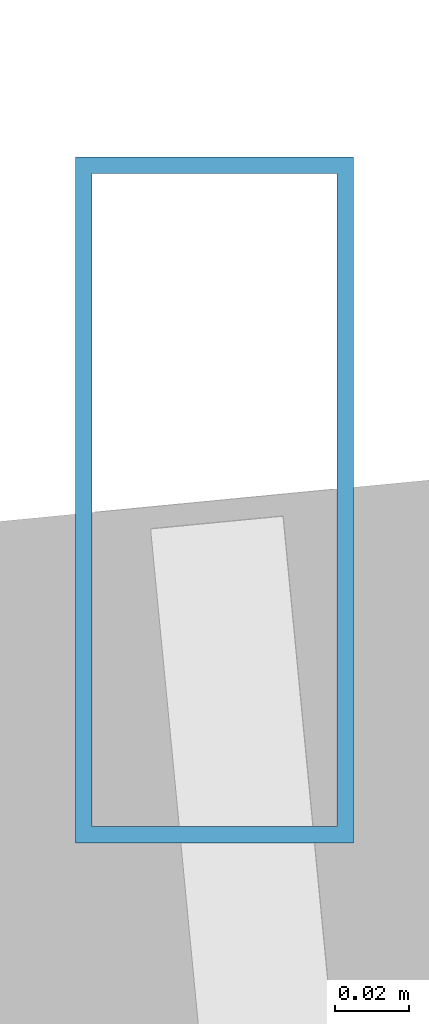
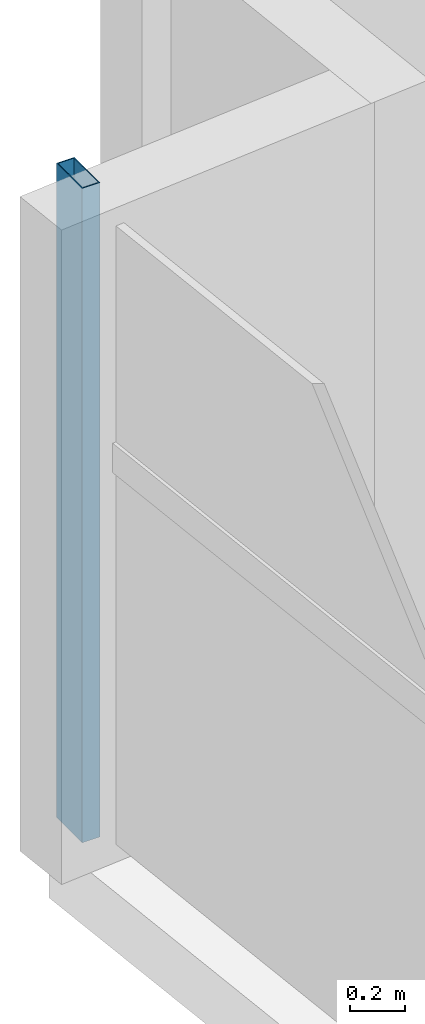
# One storey, part 8 of 27: 1 member, 1 element without a shape of its own.
"""IFC4 building model written with IfcOpenShell, lengths in metres."""

from ifc_helpers import new_model, si_unit, direction, frame, origin, origin_2d, place, context, subcontext, project, spatial, hollow_rectangle, extrude, source, transform, mapped, material, material_profile, profile_set, type_object, type_shapes, element, aggregate, save


model = new_model("IFC4")

# Units and contexts
model_context = context("Model", 3, precision=1e-05, world=origin(), true_north=direction((0.0, 1.0)))
body_context = subcontext(model_context, "Body", "Model", "MODEL_VIEW")
ifc_project = project(units=[si_unit("LENGTHUNIT", "METRE"), si_unit("AREAUNIT", "SQUARE_METRE"), si_unit("VOLUMEUNIT", "CUBIC_METRE"), si_unit("PLANEANGLEUNIT", "RADIAN"), si_unit("MASSUNIT", "GRAM", prefix="KILO")], contexts=[model_context])

# Site, building, storey
site_placement = place(None, origin())
site = spatial("IfcSite", under=ifc_project, at=site_placement, CompositionType="ELEMENT")
building_placement = place(site_placement, origin())
building = spatial("IfcBuilding", under=site, at=building_placement, Name="Astriad Promenade Condominiums", CompositionType="ELEMENT")
storey_placement = place(building_placement, frame((0.0, 0.0, 116.199951171875)))
storey = spatial("IfcBuildingStorey", under=building, at=storey_placement, Name="L33", CompositionType="ELEMENT", Elevation=116.199951171875)

# Curtain wall, member
ifc_material_1 = material(Name="Anodised aluminium Black Dark Glass Unitised", Category="aluminium")
curtain_wall_type = type_object("IfcCurtainWallType", Name="CW-B2-DARK", PredefinedType="USERDEFINED", material=ifc_material_1)
curtain_wall_placement = place(storey_placement, origin())
curtain_wall = element("IfcCurtainWall", 1, at=curtain_wall_placement, inside=storey, type_object=curtain_wall_type, Name="CW-L33-W", ObjectType="UNITISED_CURTAIN_WALL", PredefinedType="USERDEFINED")
ifc_material_2 = material(Name="Anodised aluminium 6063-T6 Black", Category="aluminium")
ifc_material_profile = material_profile(ifc_material_2, hollow_rectangle(XDim=0.074951171875, YDim=0.18505859375, WallThickness=0.00439453125, at=origin_2d()), Name="ALU-MUL-75X185")
ifc_profile_set = profile_set([ifc_material_profile], Name="Anodised aluminium 6063-T6 Black")
member_type = type_object("IfcMemberType", Name="MUL-ALU-MUL-75X185", PredefinedType="MULLION", material=ifc_profile_set)
shared_shape = source(origin(), body_context, "Body", "SweptSolid", [
    extrude(hollow_rectangle(XDim=0.074951171875, YDim=0.18505859375, WallThickness=0.00439453125, at=origin_2d()), origin(), (0.0, 0.0, 1.0), 2.900146484375),
])
type_shapes(member_type, [shared_shape])
member_placement = place(storey_placement, frame((8.94775390625, 20.921875, 0.0), z_axis=(0.0, 0.0, 1.0), x_axis=(1.0, 0.0, 0.0)))
member = element("IfcMember", 2, at=member_placement, type_object=member_type, Name="CW-L33-W-MUL-03", PredefinedType="MULLION", context=body_context, shape_type="MappedRepresentation", body=[
    mapped(shared_shape, transform((0.0, 0.0, 0.0), scale=1.0)),
])
aggregate(curtain_wall, [member])

save(model, "model.ifc")
